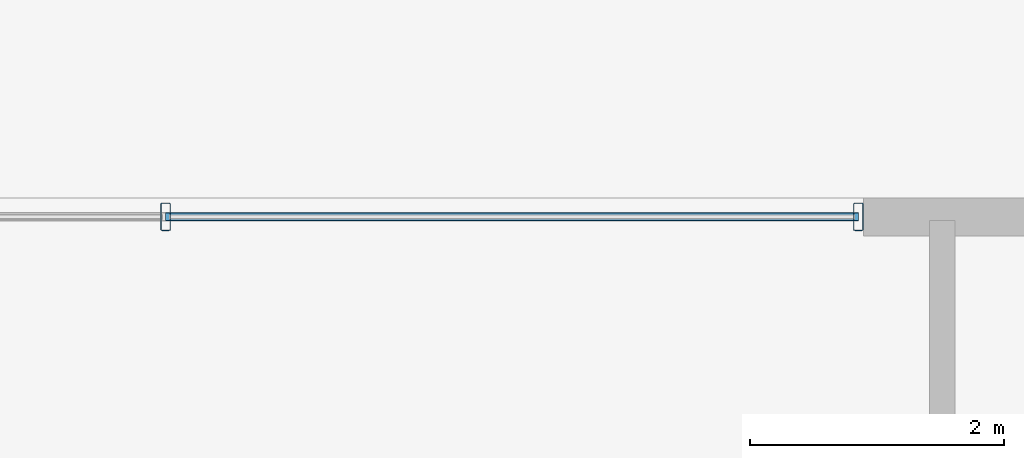
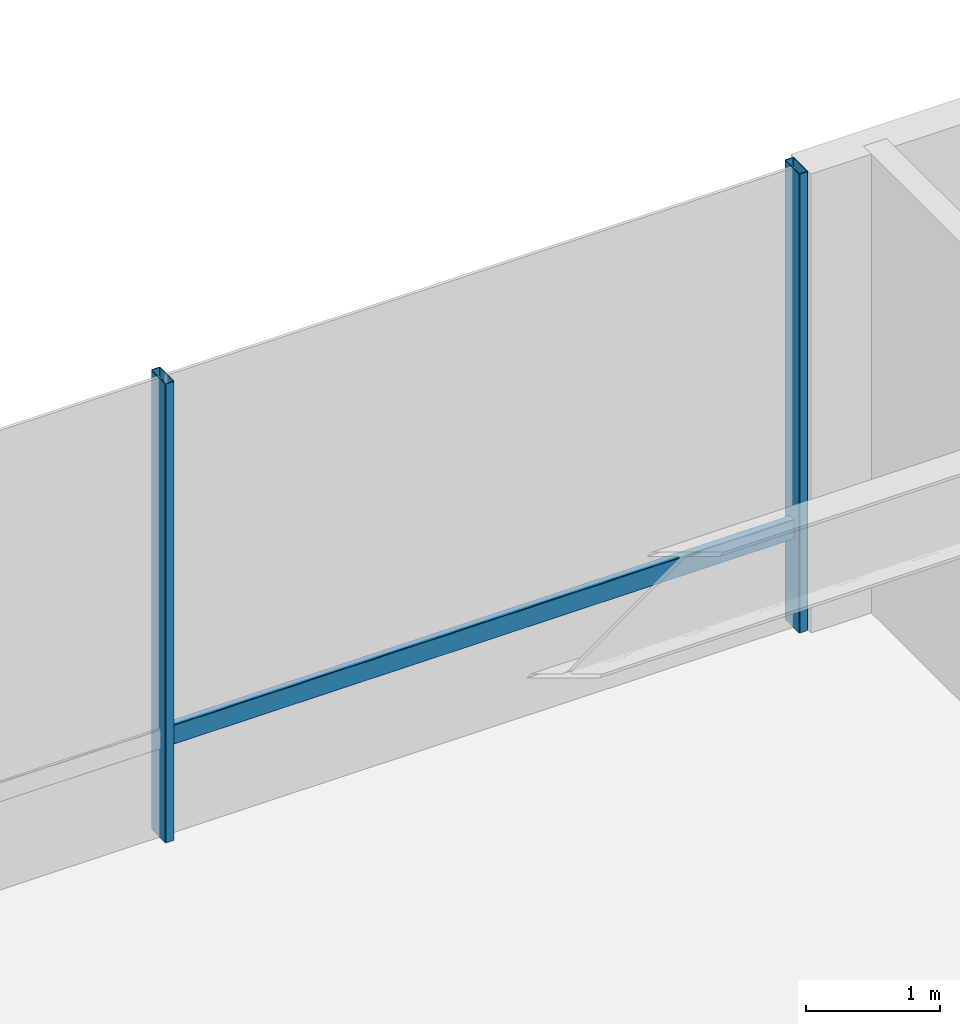
# One storey, part 15 of 40: 3 members, 1 element without a shape of its own.
"""IFC4 building model written with IfcOpenShell, lengths in metres."""

from ifc_helpers import new_model, si_unit, direction, frame, origin, origin_2d, place, context, subcontext, project, spatial, hollow_rectangle, extrude, material, layer, layer_set, material_profile, profile_set, type_object, element, aggregate, save


model = new_model("IFC4")

# Units and contexts
model_context = context("Model", 3, precision=1e-05, world=origin(), true_north=direction((0.0, 1.0)))
body_context = subcontext(model_context, "Body", "Model", "MODEL_VIEW")
ifc_project = project(units=[si_unit("LENGTHUNIT", "METRE"), si_unit("AREAUNIT", "SQUARE_METRE"), si_unit("VOLUMEUNIT", "CUBIC_METRE"), si_unit("PLANEANGLEUNIT", "RADIAN"), si_unit("MASSUNIT", "GRAM", prefix="KILO")], contexts=[model_context])

# Site, building, storey
site_placement = place(None, origin())
site = spatial("IfcSite", under=ifc_project, at=site_placement, CompositionType="ELEMENT")
building_placement = place(site_placement, origin())
building = spatial("IfcBuilding", under=site, at=building_placement, Name="Korimba Cascade Residences", CompositionType="ELEMENT")
storey_placement = place(building_placement, frame((0.0, 0.0, 14.5)))
storey = spatial("IfcBuildingStorey", under=building, at=storey_placement, Name="L03", CompositionType="ELEMENT", Elevation=14.5)

# Curtain wall, members
ifc_material_1 = material(Name="Anodised Aluminium Curtain Wall Framing", Category="aluminium")
ifc_layer = layer(ifc_material_1, 0.179931640625)
ifc_layer_set = layer_set([ifc_layer], Name="Anodised Aluminium Curtain Wall Framing")
curtain_wall_type = type_object("IfcCurtainWallType", Name="CW-POD-SYS1", PredefinedType="NOTDEFINED", material=ifc_layer_set)
curtain_wall_placement = place(storey_placement, origin())
curtain_wall = element("IfcCurtainWall", 1, at=curtain_wall_placement, inside=storey, type_object=curtain_wall_type, Name="L03 Curtain Wall CW-L03-POD-N", PredefinedType="NOTDEFINED")
ifc_material_2 = material(Name="Anodised Aluminium Mullion", Category="aluminium")
ifc_material_profile_1 = material_profile(ifc_material_2, hollow_rectangle(XDim=0.080078125, YDim=0.219970703125, WallThickness=0.00634765625, InnerFilletRadius=0.00634765625, OuterFilletRadius=0.0126953125, at=origin_2d()), Name="Anodised Aluminium Mullion")
ifc_profile_set_1 = profile_set([ifc_material_profile_1], Name="Anodised Aluminium Mullion")
member_type_1 = type_object("IfcMemberType", Name="CWM-MUL-220", PredefinedType="MULLION", material=ifc_profile_set_1)
member_1_placement = place(storey_placement, frame((107.9599609375, 101.550048828125, 0.0), z_axis=(0.0, 0.0, 1.0), x_axis=(-1.0, 0.0, 0.0)))
member_1 = element("IfcMember", 2, at=member_1_placement, type_object=member_type_1, Name="CW-L03-POD-N Mullion 1", PredefinedType="MULLION", context=body_context, shape_type="SweptSolid", body=[
    extrude(hollow_rectangle(XDim=0.080078125, YDim=0.219970703125, WallThickness=0.00634765625, InnerFilletRadius=0.00634765625, OuterFilletRadius=0.0126953125, at=origin_2d()), origin(), (0.0, 0.0, 1.0), 4.179931640625),
])
member_2_placement = place(storey_placement, frame((102.5, 101.550048828125, 0.0), z_axis=(0.0, 0.0, 1.0), x_axis=(-1.0, 0.0, 0.0)))
member_2 = element("IfcMember", 3, at=member_2_placement, type_object=member_type_1, Name="CW-L03-POD-N Mullion 2", PredefinedType="MULLION", context=body_context, shape_type="SweptSolid", body=[
    extrude(hollow_rectangle(XDim=0.080078125, YDim=0.219970703125, WallThickness=0.00634765625, InnerFilletRadius=0.00634765625, OuterFilletRadius=0.0126953125, at=origin_2d()), origin(), (0.0, 0.0, 1.0), 4.179931640625),
])
ifc_material_3 = material(Name="Anodised Aluminium Transom", Category="aluminium")
ifc_material_profile_2 = material_profile(ifc_material_3, hollow_rectangle(XDim=0.070068359375, YDim=0.179931640625, WallThickness=0.0048828125, InnerFilletRadius=0.0048828125, OuterFilletRadius=0.010009765625, at=origin_2d()), Name="Anodised Aluminium Transom")
ifc_profile_set_2 = profile_set([ifc_material_profile_2], Name="Anodised Aluminium Transom")
member_type_2 = type_object("IfcMemberType", Name="CWM-TRN-150", PredefinedType="USERDEFINED", material=ifc_profile_set_2)
member_3_placement = place(storey_placement, frame((107.9599609375, 101.550048828125, 0.89990234375), z_axis=(-1.0, 0.0, 0.0), x_axis=(0.0, -1.0, 0.0)))
member_3 = element("IfcMember", 4, at=member_3_placement, type_object=member_type_2, Name="CW-L03-POD-N Transom 1", ObjectType="TRANSOM", PredefinedType="USERDEFINED", context=body_context, shape_type="SweptSolid", body=[
    extrude(hollow_rectangle(XDim=0.070068359375, YDim=0.179931640625, WallThickness=0.0048828125, InnerFilletRadius=0.0048828125, OuterFilletRadius=0.010009765625, at=origin_2d()), origin(), (0.0, 0.0, 1.0), 5.4599609375),
])
aggregate(curtain_wall, [member_1, member_2, member_3])

save(model, "model.ifc")
